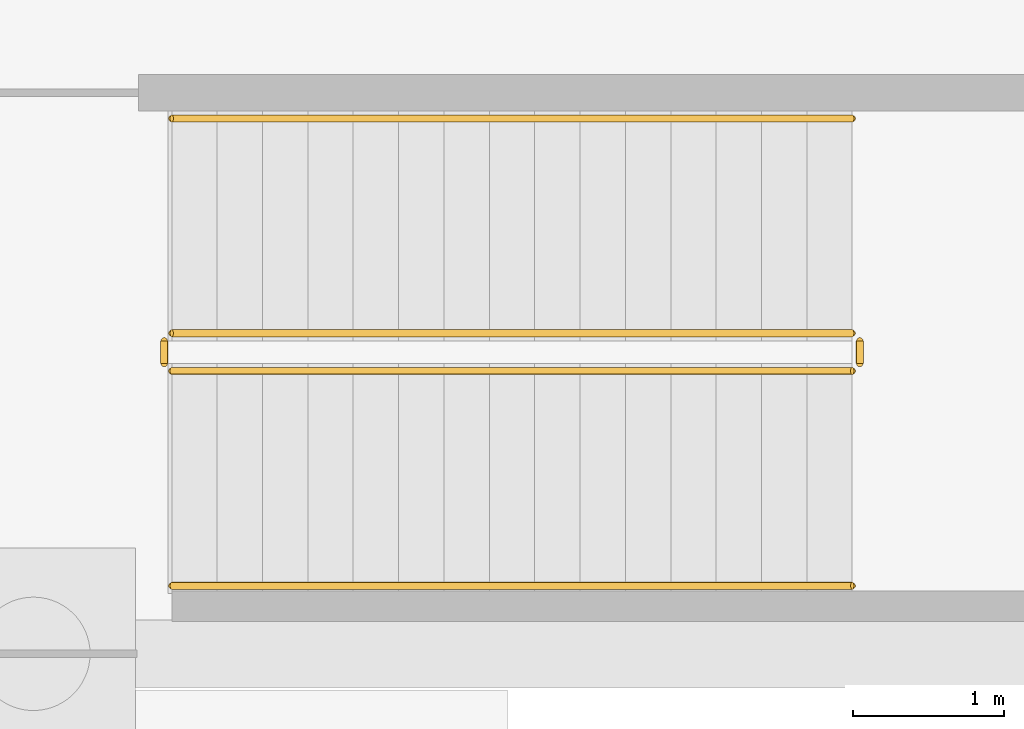
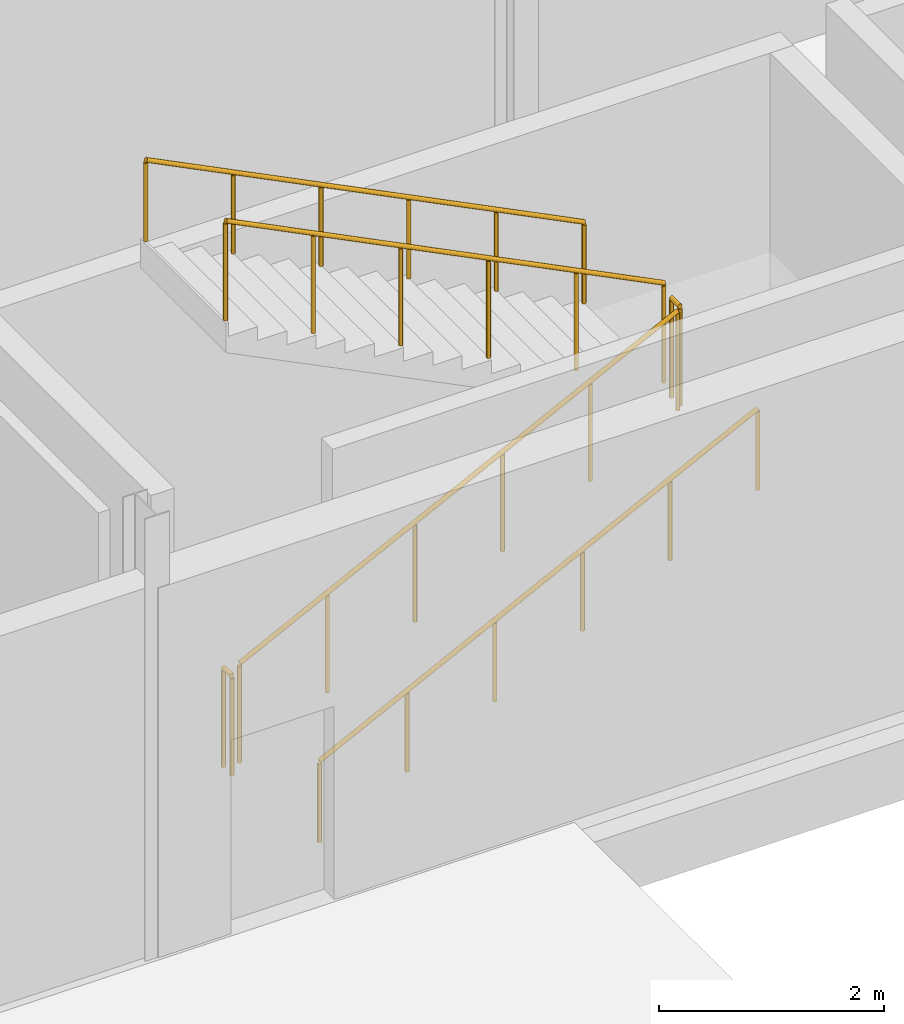
# One storey, part 108 of 112: 6 railings.
"""IFC4 building model written with IfcOpenShell, lengths in metres."""

from ifc_helpers import new_model, si_unit, direction, frame, origin, origin_2d, place, context, subcontext, project, spatial, circle, extrude, material, type_object, element, save


model = new_model("IFC4")

# Units and contexts
model_context = context("Model", 3, precision=1e-05, world=origin(), true_north=direction((0.0, 1.0)))
body_context = subcontext(model_context, "Body", "Model", "MODEL_VIEW")
ifc_project = project(units=[si_unit("LENGTHUNIT", "METRE"), si_unit("AREAUNIT", "SQUARE_METRE"), si_unit("VOLUMEUNIT", "CUBIC_METRE"), si_unit("PLANEANGLEUNIT", "RADIAN"), si_unit("MASSUNIT", "GRAM", prefix="KILO")], contexts=[model_context])

# Site, building, storey
site_placement = place(None, origin())
site = spatial("IfcSite", under=ifc_project, at=site_placement, CompositionType="ELEMENT")
building_placement = place(site_placement, origin())
building = spatial("IfcBuilding", under=site, at=building_placement, Name="Tharagai Park Tramway Depot", CompositionType="ELEMENT")
storey_placement = place(building_placement, origin())
storey = spatial("IfcBuildingStorey", under=building, at=storey_placement, Name="L00", CompositionType="ELEMENT", Elevation=0.0)

# Railings
ifc_material = material(Name="Galvanised steel", Category="steel")
railing_type_1 = type_object("IfcRailingType", Name="HR-02", PredefinedType="GUARDRAIL", material=ifc_material)
railing_1_placement = place(storey_placement, frame((128.0400390625, 91.8701171875, 0.14990234375)))
element("IfcRailing", 1, at=railing_1_placement, inside=storey, type_object=railing_type_1, Name="L00 ST-11 stair guard 1", PredefinedType="GUARDRAIL", context=body_context, shape_type="SweptSolid", body=[
    extrude(circle(Radius=0.02392578125, at=origin_2d()), frame((0.0, 0.0, 1.076171875), z_axis=(0.894427191, 0.0, 0.4472135955), x_axis=(0.0, 1.0, 0.0)), (0.0, 0.0, 1.0), 5.03125),
    extrude(circle(Radius=0.02099609375, at=origin_2d()), origin(), (0.0, 0.0, 1.0), 1.052001953125),
    extrude(circle(Radius=0.02099609375, at=origin_2d()), frame((0.89990234375, 0.0, 0.449951171875)), (0.0, 0.0, 1.0), 1.052001953125),
    extrude(circle(Radius=0.02099609375, at=origin_2d()), frame((1.800048828125, 0.0, 0.89990234375)), (0.0, 0.0, 1.0), 1.052001953125),
    extrude(circle(Radius=0.02099609375, at=origin_2d()), frame((2.699951171875, 0.0, 1.35009765625)), (0.0, 0.0, 1.0), 1.052001953125),
    extrude(circle(Radius=0.02099609375, at=origin_2d()), frame((3.60009765625, 0.0, 1.800048828125)), (0.0, 0.0, 1.0), 1.052001953125),
    extrude(circle(Radius=0.02099609375, at=origin_2d()), frame((4.5, 0.0, 2.25)), (0.0, 0.0, 1.0), 1.052001953125),
])
railing_2_placement = place(storey_placement, frame((132.590087890625, 91.919921875, 2.39990234375)))
element("IfcRailing", 2, at=railing_2_placement, inside=storey, type_object=railing_type_1, Name="L00 ST-11 stair guard 2", PredefinedType="GUARDRAIL", context=body_context, shape_type="SweptSolid", body=[
    extrude(circle(Radius=0.02392578125, at=origin_2d()), frame((0.0, 0.0, 1.076171875), z_axis=(0.0, 1.0, 0.0), x_axis=(-1.0, 0.0, 0.0)), (0.0, 0.0, 1.0), 0.150146484375),
    extrude(circle(Radius=0.02099609375, at=origin_2d()), origin(), (0.0, 0.0, 1.0), 1.052001953125),
    extrude(circle(Radius=0.02099609375, at=origin_2d()), frame((0.0, 0.150146484375, 0.0)), (0.0, 0.0, 1.0), 1.052001953125),
])
railing_3_placement = place(storey_placement, frame((132.5400390625, 92.1201171875, 2.550048828125)))
element("IfcRailing", 3, at=railing_3_placement, inside=storey, type_object=railing_type_1, Name="L00 ST-11 stair guard 3", PredefinedType="GUARDRAIL", context=body_context, shape_type="SweptSolid", body=[
    extrude(circle(Radius=0.02392578125, at=origin_2d()), frame((0.0, 0.0, 1.076171875), z_axis=(-0.894427191, 0.0, 0.4472135955), x_axis=(0.0, -1.0, 0.0)), (0.0, 0.0, 1.0), 5.03125),
    extrude(circle(Radius=0.02099609375, at=origin_2d()), origin(), (0.0, 0.0, 1.0), 1.052001953125),
    extrude(circle(Radius=0.02099609375, at=origin_2d()), frame((-0.89990234375, 0.0, 0.449951171875)), (0.0, 0.0, 1.0), 1.052001953125),
    extrude(circle(Radius=0.02099609375, at=origin_2d()), frame((-1.800048828125, 0.0, 0.89990234375)), (0.0, 0.0, 1.0), 1.052001953125),
    extrude(circle(Radius=0.02099609375, at=origin_2d()), frame((-2.699951171875, 0.0, 1.35009765625)), (0.0, 0.0, 1.0), 1.052001953125),
    extrude(circle(Radius=0.02099609375, at=origin_2d()), frame((-3.60009765625, 0.0, 1.800048828125)), (0.0, 0.0, 1.0), 1.052001953125),
    extrude(circle(Radius=0.02099609375, at=origin_2d()), frame((-4.5, 0.0, 2.25)), (0.0, 0.0, 1.0), 1.052001953125),
])
railing_4_placement = place(storey_placement, frame((127.989990234375, 91.919921875, 0.0)))
element("IfcRailing", 4, at=railing_4_placement, inside=storey, type_object=railing_type_1, Name="L00 ST-11 stair guard 4", PredefinedType="GUARDRAIL", context=body_context, shape_type="SweptSolid", body=[
    extrude(circle(Radius=0.02392578125, at=origin_2d()), frame((0.0, 0.0, 1.076171875), z_axis=(0.0, 1.0, 0.0), x_axis=(-1.0, 0.0, 0.0)), (0.0, 0.0, 1.0), 0.150146484375),
    extrude(circle(Radius=0.02099609375, at=origin_2d()), origin(), (0.0, 0.0, 1.0), 1.052001953125),
    extrude(circle(Radius=0.02099609375, at=origin_2d()), frame((0.0, 0.150146484375, 0.0)), (0.0, 0.0, 1.0), 1.052001953125),
])
railing_type_2 = type_object("IfcRailingType", Name="HR-03", PredefinedType="HANDRAIL", material=ifc_material)
railing_5_placement = place(storey_placement, frame((128.0400390625, 90.449951171875, 0.14990234375)))
element("IfcRailing", 5, at=railing_5_placement, inside=storey, type_object=railing_type_2, Name="L00 ST-11 stair handrail 1", PredefinedType="HANDRAIL", context=body_context, shape_type="SweptSolid", body=[
    extrude(circle(Radius=0.02392578125, at=origin_2d()), frame((0.0, 0.0, 0.8759765625), z_axis=(0.894427191, 0.0, 0.4472135955), x_axis=(0.0, 1.0, 0.0)), (0.0, 0.0, 1.0), 5.03125),
    extrude(circle(Radius=0.02099609375, at=origin_2d()), origin(), (0.0, 0.0, 1.0), 0.851806640625),
    extrude(circle(Radius=0.02099609375, at=origin_2d()), frame((0.89990234375, 0.0, 0.449951171875)), (0.0, 0.0, 1.0), 0.851806640625),
    extrude(circle(Radius=0.02099609375, at=origin_2d()), frame((1.800048828125, 0.0, 0.89990234375)), (0.0, 0.0, 1.0), 0.851806640625),
    extrude(circle(Radius=0.02099609375, at=origin_2d()), frame((2.699951171875, 0.0, 1.35009765625)), (0.0, 0.0, 1.0), 0.851806640625),
    extrude(circle(Radius=0.02099609375, at=origin_2d()), frame((3.60009765625, 0.0, 1.800048828125)), (0.0, 0.0, 1.0), 0.851806640625),
    extrude(circle(Radius=0.02099609375, at=origin_2d()), frame((4.5, 0.0, 2.25)), (0.0, 0.0, 1.0), 0.851806640625),
])
railing_6_placement = place(storey_placement, frame((132.5400390625, 93.5400390625, 2.550048828125)))
element("IfcRailing", 6, at=railing_6_placement, inside=storey, type_object=railing_type_2, Name="L00 ST-11 stair handrail 2", PredefinedType="HANDRAIL", context=body_context, shape_type="SweptSolid", body=[
    extrude(circle(Radius=0.02392578125, at=origin_2d()), frame((0.0, 0.0, 0.8759765625), z_axis=(-0.894427191, 0.0, 0.4472135955), x_axis=(0.0, -1.0, 0.0)), (0.0, 0.0, 1.0), 5.03125),
    extrude(circle(Radius=0.02099609375, at=origin_2d()), origin(), (0.0, 0.0, 1.0), 0.851806640625),
    extrude(circle(Radius=0.02099609375, at=origin_2d()), frame((-0.89990234375, 0.0, 0.449951171875)), (0.0, 0.0, 1.0), 0.851806640625),
    extrude(circle(Radius=0.02099609375, at=origin_2d()), frame((-1.800048828125, 0.0, 0.89990234375)), (0.0, 0.0, 1.0), 0.851806640625),
    extrude(circle(Radius=0.02099609375, at=origin_2d()), frame((-2.699951171875, 0.0, 1.35009765625)), (0.0, 0.0, 1.0), 0.851806640625),
    extrude(circle(Radius=0.02099609375, at=origin_2d()), frame((-3.60009765625, 0.0, 1.800048828125)), (0.0, 0.0, 1.0), 0.851806640625),
    extrude(circle(Radius=0.02099609375, at=origin_2d()), frame((-4.5, 0.0, 2.25)), (0.0, 0.0, 1.0), 0.851806640625),
])

save(model, "model.ifc")
